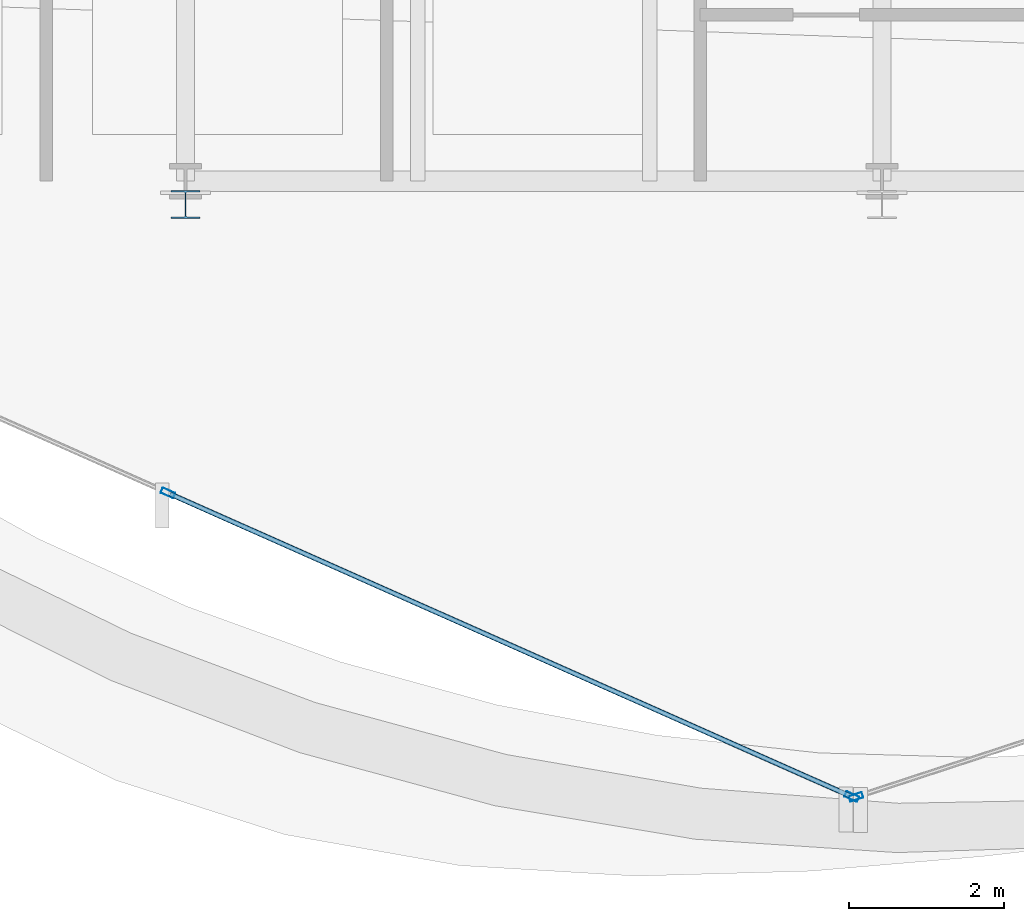
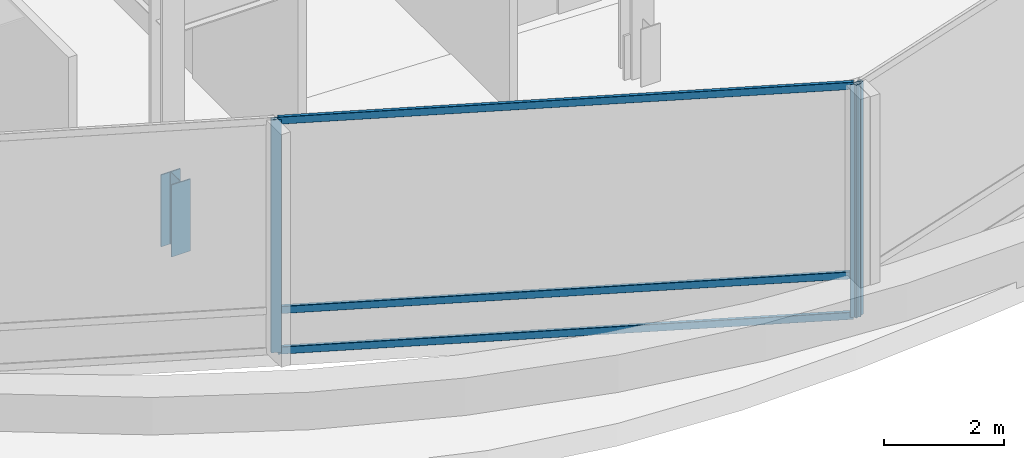
# One storey, part 3 of 33: 7 members, 2 elements without a shape of their own.
"""IFC4 building model written with IfcOpenShell, lengths in metres."""

import ifcopenshell
import ifcopenshell.guid

model = None  # the IFC model being written
_history = None  # IfcOwnerHistory: only IFC2X3 demands one
_inside = {}  # id of a spatial element -> (the spatial element, [elements in it])
_under = {}  # id of a project, library or spatial element -> (it, [spatial elements below it])
_declared = {}  # id of a project -> (the project, [libraries it declares])
_typed = {}  # id of a type object -> (the type object, [elements of that type])
_made_of = {}  # id of a material, layer set ... -> (it, [elements and type objects made of it])


def new_model(schema):
    """Start an empty IFC model of exactly this schema.

    Asked for "IFC4X3", IfcOpenShell would pick the latest addendum, in which some entities
    have other attributes; the version numbers below select the first issue.
    IFC2X3 requires an IfcOwnerHistory on every rooted entity: one is made here for all.
    """
    global model, _history
    if schema == "IFC4X3":
        model = ifcopenshell.file(schema_version=(4, 3, 0, 0))
    else:
        model = ifcopenshell.file(schema=schema)
    _inside.clear()
    _under.clear()
    _declared.clear()
    _typed.clear()
    _made_of.clear()
    _history = None
    if model.schema == "IFC2X3":
        org = make("IfcOrganization", Name="unknown")
        user = make(
            "IfcPersonAndOrganization",
            ThePerson=make("IfcPerson", FamilyName="unknown"),
            TheOrganization=org,
        )
        app = make(
            "IfcApplication",
            ApplicationDeveloper=org,
            Version="unknown",
            ApplicationFullName="unknown",
            ApplicationIdentifier="unknown",
        )
        _history = make(
            "IfcOwnerHistory",
            OwningUser=user,
            OwningApplication=app,
            ChangeAction="ADDED",
            CreationDate=0,
        )
    return model


def make(cls, **values):
    """One entity of the class cls with the attributes given. An attribute that is None is left unset."""
    return model.create_entity(
        cls, **{name: value for name, value in values.items() if value is not None}
    )


def rooted(cls, **values):
    """An entity with a GlobalId (a new one), such as an element, a storey or a relation."""
    return make(cls, GlobalId=ifcopenshell.guid.new(), OwnerHistory=_history, **values)


def si_unit(unit_type, name, prefix=None):
    """IfcSIUnit, for example si_unit("LENGTHUNIT", "METRE", prefix="MILLI")."""
    return make("IfcSIUnit", UnitType=unit_type, Prefix=prefix, Name=name)


def assignment(units):
    """IfcUnitAssignment: the units of a project."""
    return None if units is None else make("IfcUnitAssignment", Units=units)


def point(xyz):
    """IfcCartesianPoint."""
    return None if xyz is None else make("IfcCartesianPoint", Coordinates=xyz)


def direction(xyz):
    """IfcDirection."""
    return None if xyz is None else make("IfcDirection", DirectionRatios=xyz)


def frame(location, z_axis=None, x_axis=None):
    """IfcAxis2Placement3D, a coordinate frame: its origin and axes. An axis left out is left unset."""
    return make(
        "IfcAxis2Placement3D",
        Location=point(location),
        Axis=direction(z_axis),
        RefDirection=direction(x_axis),
    )


def frame_2d(location, x_axis=None):
    """IfcAxis2Placement2D, a coordinate frame in the plane: its origin and x axis."""
    return make(
        "IfcAxis2Placement2D", Location=point(location), RefDirection=direction(x_axis)
    )


def origin():
    """The frame at (0, 0, 0) with its axes left unset."""
    return frame((0.0, 0.0, 0.0))


def origin_2d():
    """The frame at (0, 0) in the plane with its x axis left unset."""
    return frame_2d((0.0, 0.0))


def place(relative_to, where):
    """IfcLocalPlacement: puts the frame where relative to a parent placement (None: the world)."""
    return make(
        "IfcLocalPlacement", PlacementRelTo=relative_to, RelativePlacement=where
    )


def context(
    kind, dimensions, precision=None, world=None, true_north=None, identifier=None
):
    """IfcGeometricRepresentationContext, for example the 3D "Model" context."""
    return make(
        "IfcGeometricRepresentationContext",
        ContextIdentifier=identifier,
        ContextType=kind,
        CoordinateSpaceDimension=dimensions,
        Precision=precision,
        WorldCoordinateSystem=world,
        TrueNorth=true_north,
    )


def subcontext(parent, identifier, kind, view, scale=None):
    """IfcGeometricRepresentationSubContext, for example "Body" below "Model"."""
    return make(
        "IfcGeometricRepresentationSubContext",
        ContextIdentifier=identifier,
        ContextType=kind,
        ParentContext=parent,
        TargetScale=scale,
        TargetView=view,
    )


def project(units=None, contexts=None):
    """IfcProject with its units and contexts."""
    return rooted(
        "IfcProject",
        Name="project",
        RepresentationContexts=contexts,
        UnitsInContext=assignment(units),
    )


def spatial(cls, under=None, at=None, **own):
    """A site, building, storey or space (cls), placed at a placement, below another one or the project."""
    s = rooted(cls, ObjectPlacement=at, **own)
    if under is not None:
        _under.setdefault(under.id(), (under, []))[1].append(s)
    return s


def profile(cls, at=None, kind="AREA", **sizes):
    """A parametric profile (cls). Its sizes go by their IFC names, for example OverallWidth=200.0."""
    return make(cls, ProfileType=kind, Position=at, **sizes)


def hollow_rectangle(**sizes):
    """IfcRectangleHollowProfileDef."""
    return profile("IfcRectangleHollowProfileDef", **sizes)


def i_section(**sizes):
    """IfcIShapeProfileDef."""
    return profile("IfcIShapeProfileDef", **sizes)


def extrude(swept, where, along, depth):
    """IfcExtrudedAreaSolid: the profile swept, set in the frame where, extruded along a direction by depth."""
    return make(
        "IfcExtrudedAreaSolid",
        SweptArea=swept,
        Position=where,
        ExtrudedDirection=direction(along),
        Depth=depth,
    )


def shape(context_of_items, identifier, shape_type, items):
    """IfcShapeRepresentation: the items that make up one representation, for example the "Body"."""
    return make(
        "IfcShapeRepresentation",
        ContextOfItems=context_of_items,
        RepresentationIdentifier=identifier,
        RepresentationType=shape_type,
        Items=items,
    )


def material(Name=None, Category=None):
    """IfcMaterial."""
    return make("IfcMaterial", Name=Name, Category=Category)


def layer(
    of_material, thickness, ventilated=None, Name=None, Category=None, Priority=None
):
    """IfcMaterialLayer: one layer of a wall or slab, of a material (None: an air gap)."""
    return make(
        "IfcMaterialLayer",
        Material=of_material,
        LayerThickness=thickness,
        IsVentilated=ventilated,
        Name=Name,
        Category=Category,
        Priority=Priority,
    )


def layer_set(layers, Name=None):
    """IfcMaterialLayerSet."""
    return make("IfcMaterialLayerSet", MaterialLayers=layers, LayerSetName=Name)


def material_profile(
    of_material, cross_section, Name=None, Category=None, Priority=None
):
    """IfcMaterialProfile: a cross section and its material."""
    return make(
        "IfcMaterialProfile",
        Name=Name,
        Material=of_material,
        Profile=cross_section,
        Priority=Priority,
        Category=Category,
    )


def profile_set(profiles, Name=None, composite=None):
    """IfcMaterialProfileSet."""
    return make(
        "IfcMaterialProfileSet",
        Name=Name,
        MaterialProfiles=profiles,
        CompositeProfile=composite,
    )


def made_of(thing, what):
    """Note that an element or type object is made of a material, layer set ...; save() writes the relation."""
    if what is not None:
        _made_of.setdefault(what.id(), (what, []))[1].append(thing)
    return thing


def type_object(cls, material=None, **own):
    """A type object (cls), such as IfcWallType, which elements share."""
    return made_of(rooted(cls, **own), material)


def element(
    cls,
    number,
    at=None,
    inside=None,
    cuts=None,
    type_object=None,
    material=None,
    context=None,
    identifier="Body",
    shape_type=None,
    held_by="IfcProductDefinitionShape",
    body=None,
    shapes=None,
    **own,
):
    """One element of the class cls, such as IfcWall. Its Tag is "e" and its number.

    at: its placement. inside: the storey or other place that contains it. cuts: it is an
    opening in that element (IfcRelVoidsElement). A single representation is given by context,
    identifier, shape_type and body (its items); several are given by shapes. held_by: the class
    of the entity that holds the representations. save() writes the other relations.
    """
    e = rooted(cls, Tag="e%d" % number, ObjectPlacement=at, **own)
    if body is not None:
        shapes = [shape(context, identifier, shape_type, body)]
    if shapes is not None:
        e.Representation = make(held_by, Representations=shapes)
    if inside is not None:
        _inside.setdefault(inside.id(), (inside, []))[1].append(e)
    if cuts is not None:
        rooted(
            "IfcRelVoidsElement", RelatingBuildingElement=cuts, RelatedOpeningElement=e
        )
    if type_object is not None:
        _typed.setdefault(type_object.id(), (type_object, []))[1].append(e)
    return made_of(e, material)


def aggregate(whole, parts):
    """IfcRelAggregates: a whole, such as a stair, and the parts it consists of."""
    return rooted("IfcRelAggregates", RelatingObject=whole, RelatedObjects=parts)


def save(model, path):
    """Write the relations noted so far, then the file.

    IfcRelAggregates (storeys below a building ...), IfcRelContainedInSpatialStructure (elements
    in a storey), IfcRelDefinesByType, IfcRelAssociatesMaterial and IfcRelDeclares: one each for
    every whole, place, type object, material and project.
    """
    for whole, parts in _under.values():
        aggregate(whole, parts)
    for where, things in _inside.values():
        rooted(
            "IfcRelContainedInSpatialStructure",
            RelatedElements=things,
            RelatingStructure=where,
        )
    for kind, things in _typed.values():
        rooted("IfcRelDefinesByType", RelatedObjects=things, RelatingType=kind)
    for what, things in _made_of.values():
        rooted("IfcRelAssociatesMaterial", RelatedObjects=things, RelatingMaterial=what)
    for by, libraries in _declared.values():
        rooted("IfcRelDeclares", RelatingContext=by, RelatedDefinitions=libraries)
    model.write(path)


model = new_model("IFC4")

# Units and contexts
model_context = context("Model", 3, precision=1e-05, world=origin(), true_north=direction((0.0, 1.0)))
body_context = subcontext(model_context, "Body", "Model", "MODEL_VIEW")
ifc_project = project(units=[si_unit("LENGTHUNIT", "METRE"), si_unit("AREAUNIT", "SQUARE_METRE"), si_unit("VOLUMEUNIT", "CUBIC_METRE"), si_unit("PLANEANGLEUNIT", "RADIAN"), si_unit("MASSUNIT", "GRAM", prefix="KILO")], contexts=[model_context])

# Site, building, storey
site_placement = place(None, origin())
site = spatial("IfcSite", under=ifc_project, at=site_placement, CompositionType="ELEMENT")
building_placement = place(site_placement, origin())
building = spatial("IfcBuilding", under=site, at=building_placement, Name="Solvaryn Broadcast Tower", CompositionType="ELEMENT")
storey_placement = place(building_placement, frame((0.0, 0.0, 105.0)))
storey = spatial("IfcBuildingStorey", under=building, at=storey_placement, Name="L25", CompositionType="ELEMENT", Elevation=105.0)

# Curtain wall, members
ifc_material_1 = material(Name="Aluminium and Terracotta Unitised Curtain Wall", Category="masonry")
ifc_layer = layer(ifc_material_1, 0.25)
ifc_layer_set = layer_set([ifc_layer], Name="CW-SYS4-SKYGARDEN")
curtain_wall_type = type_object("IfcCurtainWallType", Name="CW-SYS4-SKYGARDEN", PredefinedType="NOTDEFINED", material=ifc_layer_set)
curtain_wall_1_placement = place(storey_placement, origin())
curtain_wall_1 = element("IfcCurtainWall", 1, at=curtain_wall_1_placement, inside=storey, type_object=curtain_wall_type, Name="L25 Curtain Wall DR3", PredefinedType="NOTDEFINED")
ifc_material_2 = material(Name="Anodised Aluminium 6063-T6", Category="aluminium")
ifc_material_profile_1 = material_profile(ifc_material_2, hollow_rectangle(XDim=0.074951171875, YDim=0.179931640625, WallThickness=0.00390625, InnerFilletRadius=0.00390625, OuterFilletRadius=0.008056640625, at=origin_2d()))
ifc_profile_set_1 = profile_set([ifc_material_profile_1], Name="Anodised Aluminium 6063-T6")
member_type_1 = type_object("IfcMemberType", Name="CW-MUL-180", PredefinedType="MULLION", material=ifc_profile_set_1)
member_1_placement = place(storey_placement, frame((17.77197265625, 4.970947265625, 0.0), z_axis=(0.0, 0.0, 1.0), x_axis=(0.405918429309, 0.913909311008, 0.0)))
member_1 = element("IfcMember", 2, at=member_1_placement, type_object=member_type_1, Name="CWS4 mullion 2", PredefinedType="MULLION", context=body_context, shape_type="SweptSolid", body=[
    extrude(hollow_rectangle(XDim=0.074951171875, YDim=0.179931640625, WallThickness=0.00390625, InnerFilletRadius=0.00390625, OuterFilletRadius=0.008056640625, at=origin_2d()), origin(), (0.0, 0.0, 1.0), 4.719970703125),
])
member_2_placement = place(storey_placement, frame((26.608642578125, 1.046142578125, 0.0), z_axis=(0.0, 0.0, 1.0), x_axis=(0.405918429309, 0.913909311008, 0.0)))
member_2 = element("IfcMember", 3, at=member_2_placement, type_object=member_type_1, Name="CWS4 mullion 3", PredefinedType="MULLION", context=body_context, shape_type="SweptSolid", body=[
    extrude(hollow_rectangle(XDim=0.074951171875, YDim=0.179931640625, WallThickness=0.00390625, InnerFilletRadius=0.00390625, OuterFilletRadius=0.008056640625, at=origin_2d()), origin(), (0.0, 0.0, 1.0), 4.719970703125),
])

# Curtain wall, member
curtain_wall_2_placement = place(storey_placement, origin())
curtain_wall_2 = element("IfcCurtainWall", 4, at=curtain_wall_2_placement, inside=storey, type_object=curtain_wall_type, Name="L25 Curtain Wall DR4", PredefinedType="NOTDEFINED")
member_3_placement = place(storey_placement, frame((26.66455078125, 1.04345703125, 0.0), z_axis=(0.0, 0.0, 1.0), x_axis=(-0.311646057547, 0.950198260794, 0.0)))
member_3 = element("IfcMember", 5, at=member_3_placement, type_object=member_type_1, Name="CWS4 mullion 1", PredefinedType="MULLION", context=body_context, shape_type="SweptSolid", body=[
    extrude(hollow_rectangle(XDim=0.074951171875, YDim=0.179931640625, WallThickness=0.00390625, InnerFilletRadius=0.00390625, OuterFilletRadius=0.008056640625, at=origin_2d()), origin(), (0.0, 0.0, 1.0), 4.719970703125),
])
aggregate(curtain_wall_2, [member_3])

# Member
ifc_material_3 = material(Name="Anodised Aluminium 6063-T6", Category="aluminium")
ifc_material_profile_2 = material_profile(ifc_material_3, hollow_rectangle(XDim=0.06494140625, YDim=0.14990234375, WallThickness=0.00390625, InnerFilletRadius=0.00390625, OuterFilletRadius=0.008056640625, at=origin_2d()))
ifc_profile_set_2 = profile_set([ifc_material_profile_2], Name="Anodised Aluminium 6063-T6")
member_type_2 = type_object("IfcMemberType", Name="CW-TRN-150", PredefinedType="USERDEFINED", material=ifc_profile_set_2)
member_4_placement = place(storey_placement, frame((17.79931640625, 4.958740234375, 0.030029296875), z_axis=(0.913912103341, -0.405912142424, 0.0), x_axis=(0.405912142424, 0.913912103341, 0.0)))
member_4 = element("IfcMember", 6, at=member_4_placement, type_object=member_type_2, Name="CWS4 transom 2.1", ObjectType="TRANSOM", PredefinedType="USERDEFINED", context=body_context, shape_type="SweptSolid", body=[
    extrude(hollow_rectangle(XDim=0.06494140625, YDim=0.14990234375, WallThickness=0.00390625, InnerFilletRadius=0.00390625, OuterFilletRadius=0.008056640625, at=origin_2d()), origin(), (0.0, 0.0, 1.0), 9.60888671875),
])

member_5_placement = place(storey_placement, frame((17.79931640625, 4.958740234375, 0.85009765625), z_axis=(0.913912103341, -0.405912142424, 0.0), x_axis=(0.405912142424, 0.913912103341, 0.0)))
member_5 = element("IfcMember", 7, at=member_5_placement, type_object=member_type_2, Name="CWS4 transom 2.2", ObjectType="TRANSOM", PredefinedType="USERDEFINED", context=body_context, shape_type="SweptSolid", body=[
    extrude(hollow_rectangle(XDim=0.06494140625, YDim=0.14990234375, WallThickness=0.00390625, InnerFilletRadius=0.00390625, OuterFilletRadius=0.008056640625, at=origin_2d()), origin(), (0.0, 0.0, 1.0), 9.60888671875),
])

member_6_placement = place(storey_placement, frame((17.79931640625, 4.958740234375, 4.68994140625), z_axis=(0.913912103341, -0.405912142424, 0.0), x_axis=(0.405912142424, 0.913912103341, 0.0)))
member_6 = element("IfcMember", 8, at=member_6_placement, type_object=member_type_2, Name="CWS4 transom 2.3", ObjectType="TRANSOM", PredefinedType="USERDEFINED", context=body_context, shape_type="SweptSolid", body=[
    extrude(hollow_rectangle(XDim=0.06494140625, YDim=0.14990234375, WallThickness=0.00390625, InnerFilletRadius=0.00390625, OuterFilletRadius=0.008056640625, at=origin_2d()), origin(), (0.0, 0.0, 1.0), 9.60888671875),
])

aggregate(curtain_wall_1, [member_1, member_2, member_4, member_5, member_6])

ifc_material_4 = material(Name="Steel ASTM A913 Grade 65", Category="steel")
ifc_material_profile_3 = material_profile(ifc_material_4, i_section(OverallWidth=0.3701171875, OverallDepth=0.360107421875, WebThickness=0.01220703125, FlangeThickness=0.019775390625, FilletRadius=0.014892578125, at=origin_2d()))
ifc_profile_set_3 = profile_set([ifc_material_profile_3], Name="Steel ASTM A913 Grade 65")
member_type_3 = type_object("IfcMemberType", Name="MB-COL-SPLICE", PredefinedType="POST", material=ifc_profile_set_3)
member_7_placement = place(storey_placement, frame((18.0, 8.699951171875, -0.260009765625), z_axis=(0.0, 0.0, 1.0), x_axis=(1.0, 0.0, 0.0)))
element("IfcMember", 9, at=member_7_placement, inside=storey, type_object=member_type_3, Name="L25 Zone Splice Stiffener 1", PredefinedType="POST", context=body_context, shape_type="SweptSolid", body=[
    extrude(i_section(OverallWidth=0.3701171875, OverallDepth=0.360107421875, WebThickness=0.01220703125, FlangeThickness=0.019775390625, FilletRadius=0.014892578125, at=origin_2d()), origin(), (0.0, 0.0, 1.0), 1.4599609375),
])

save(model, "model.ifc")
